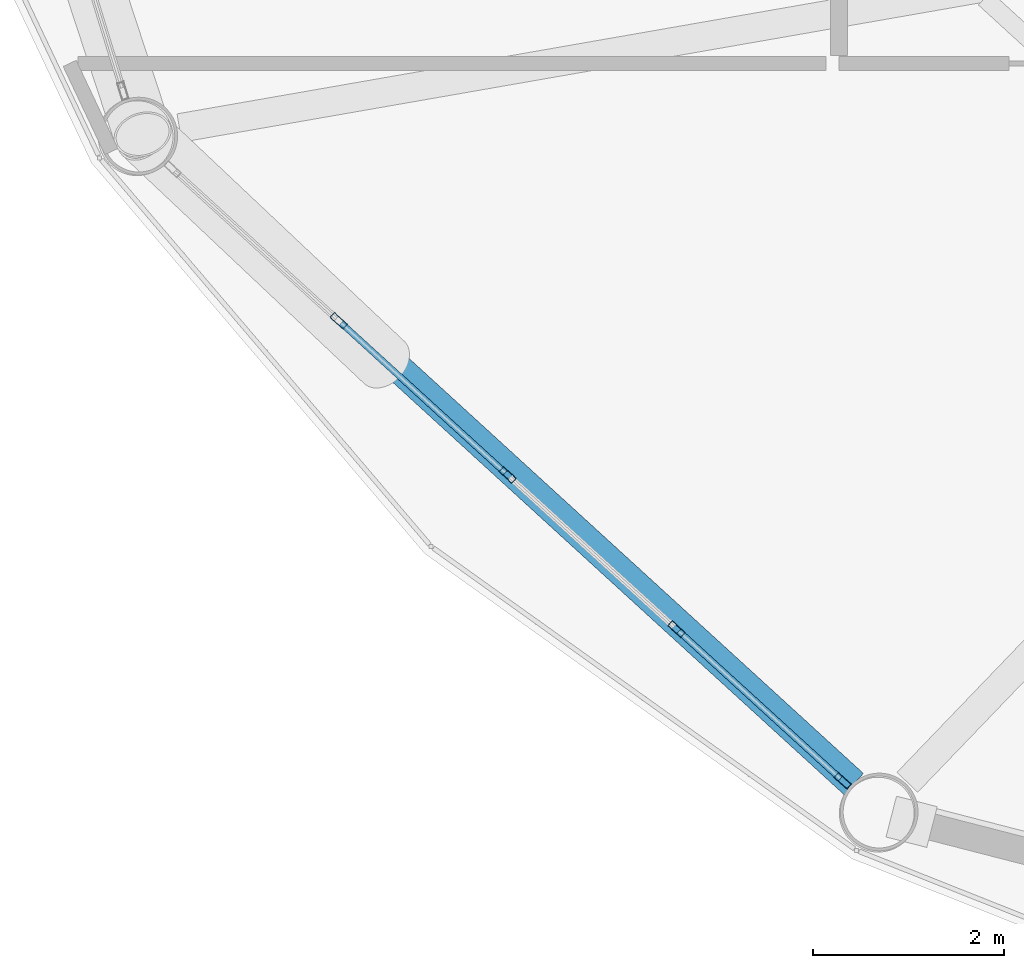
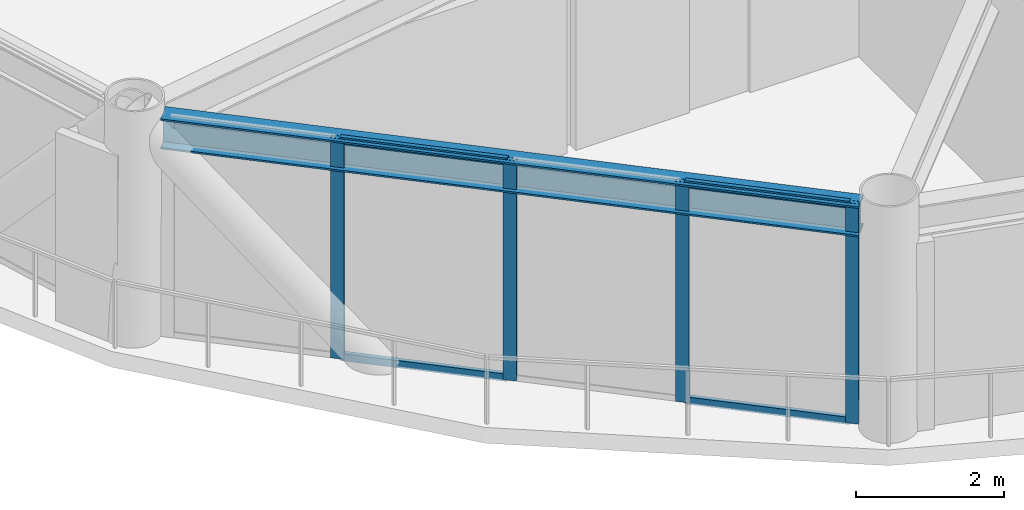
# One storey, part 2 of 24: 8 members, 1 beam, 1 element without a shape of its own.
"""IFC4 building model written with IfcOpenShell, lengths in metres."""

from ifc_helpers import new_model, si_unit, direction, frame, origin, origin_2d, place, context, subcontext, project, spatial, hollow_rectangle, i_section, extrude, material, layer, layer_set, material_profile, profile_set, type_object, element, aggregate, save


model = new_model("IFC4")

# Units and contexts
model_context = context("Model", 3, precision=1e-05, world=origin(), true_north=direction((0.0, 1.0)))
body_context = subcontext(model_context, "Body", "Model", "MODEL_VIEW")
ifc_project = project(units=[si_unit("LENGTHUNIT", "METRE"), si_unit("AREAUNIT", "SQUARE_METRE"), si_unit("VOLUMEUNIT", "CUBIC_METRE"), si_unit("PLANEANGLEUNIT", "RADIAN"), si_unit("MASSUNIT", "GRAM", prefix="KILO")], contexts=[model_context])

# Site, building, storey
site_placement = place(None, origin())
site = spatial("IfcSite", under=ifc_project, at=site_placement, CompositionType="ELEMENT")
building_placement = place(site_placement, origin())
building = spatial("IfcBuilding", under=site, at=building_placement, Name="Varnakorn Sky Granary", CompositionType="ELEMENT")
storey_placement = place(building_placement, frame((0.0, 0.0, 118.800048828125)))
storey = spatial("IfcBuildingStorey", under=building, at=storey_placement, Name="L29", CompositionType="ELEMENT", Elevation=118.800048828125)

# Beam
ifc_material_1 = material(Name="Steel S355JR", Category="steel")
ifc_material_profile_1 = material_profile(ifc_material_1, i_section(OverallWidth=0.300048828125, OverallDepth=0.5, WebThickness=0.014404296875, FlangeThickness=0.028076171875, at=origin_2d()), Name="HE 500 B")
ifc_profile_set_1 = profile_set([ifc_material_profile_1], Name="Steel S355JR")
beam_type = type_object("IfcBeamType", Name="BM-SPD-Z2", PredefinedType="SPANDREL", material=ifc_profile_set_1)
beam_placement = place(storey_placement, frame((-19.4970703125, -9.906982421875, 3.389892578125), z_axis=(0.738350124804, -0.67441759556, 0.0), x_axis=(0.67441759556, 0.738350124804, 0.0)))
element("IfcBeam", 1, at=beam_placement, inside=storey, type_object=beam_type, Name="Perimeter Spandrel Ring Beam RB08 L29", PredefinedType="SPANDREL", context=body_context, shape_type="SweptSolid", body=[
    extrude(i_section(OverallWidth=0.300048828125, OverallDepth=0.5, WebThickness=0.014404296875, FlangeThickness=0.028076171875, at=origin_2d()), origin(), (0.0, 0.0, 1.0), 9.684326171875),
])

# Curtain wall, members
ifc_material_2 = material(Name="Anodised Bronze Aluminium Alloy 6063-T6", Category="aluminium")
ifc_layer = layer(ifc_material_2, 0.179931640625, Name="Anodised Bronze Aluminium Alloy 6063-T6")
ifc_layer_set = layer_set([ifc_layer], Name="Anodised Bronze Aluminium Alloy 6063-T6")
curtain_wall_type = type_object("IfcCurtainWallType", Name="CW-FRM-2", PredefinedType="USERDEFINED", material=ifc_layer_set)
curtain_wall_placement = place(storey_placement, origin())
curtain_wall = element("IfcCurtainWall", 2, at=curtain_wall_placement, inside=storey, type_object=curtain_wall_type, Name="Unitised Curtain Wall CW4 CW-L29-B08", ObjectType="CURTAIN WALL", PredefinedType="USERDEFINED")
ifc_material_profile_2 = material_profile(ifc_material_2, hollow_rectangle(XDim=0.070068359375, YDim=0.18505859375, WallThickness=0.00390625, at=origin_2d()), Name="ALU MULL 70x185")
ifc_profile_set_2 = profile_set([ifc_material_profile_2], Name="Anodised Bronze Aluminium Alloy 6063-T6")
member_type_1 = type_object("IfcMemberType", Name="CW-FRM-2-MULL", PredefinedType="MULLION", material=ifc_profile_set_2)
member_1_placement = place(storey_placement, frame((-12.46142578125, -16.405517578125, 0.0), z_axis=(0.0, 0.0, 1.0), x_axis=(-0.674153081651, -0.738591648003, 0.0)))
member_1 = element("IfcMember", 3, at=member_1_placement, type_object=member_type_1, Name="CW4 mullion 1", PredefinedType="MULLION", context=body_context, shape_type="SweptSolid", body=[
    extrude(hollow_rectangle(XDim=0.070068359375, YDim=0.18505859375, WallThickness=0.00390625, at=origin_2d()), origin(), (0.0, 0.0, 1.0), 3.639892578125),
])
member_2_placement = place(storey_placement, frame((-14.20166015625, -14.8173828125, 0.0), z_axis=(0.0, 0.0, 1.0), x_axis=(-0.674153081651, -0.738591648003, 0.0)))
member_2 = element("IfcMember", 4, at=member_2_placement, type_object=member_type_1, Name="CW4 mullion 2", PredefinedType="MULLION", context=body_context, shape_type="SweptSolid", body=[
    extrude(hollow_rectangle(XDim=0.070068359375, YDim=0.18505859375, WallThickness=0.00390625, at=origin_2d()), origin(), (0.0, 0.0, 1.0), 3.639892578125),
])
member_3_placement = place(storey_placement, frame((-15.967529296875, -13.205322265625, 0.0), z_axis=(0.0, 0.0, 1.0), x_axis=(-0.674153081651, -0.738591648003, 0.0)))
member_3 = element("IfcMember", 5, at=member_3_placement, type_object=member_type_1, Name="CW4 mullion 3", PredefinedType="MULLION", context=body_context, shape_type="SweptSolid", body=[
    extrude(hollow_rectangle(XDim=0.070068359375, YDim=0.18505859375, WallThickness=0.00390625, at=origin_2d()), origin(), (0.0, 0.0, 1.0), 3.639892578125),
])
member_4_placement = place(storey_placement, frame((-17.733642578125, -11.593505859375, 0.0), z_axis=(0.0, 0.0, 1.0), x_axis=(-0.674153081651, -0.738591648003, 0.0)))
member_4 = element("IfcMember", 6, at=member_4_placement, type_object=member_type_1, Name="CW4 mullion 4", PredefinedType="MULLION", context=body_context, shape_type="SweptSolid", body=[
    extrude(hollow_rectangle(XDim=0.070068359375, YDim=0.18505859375, WallThickness=0.00390625, at=origin_2d()), origin(), (0.0, 0.0, 1.0), 3.639892578125),
])
ifc_material_profile_3 = material_profile(ifc_material_2, hollow_rectangle(XDim=0.06494140625, YDim=0.1201171875, WallThickness=0.00341796875, at=origin_2d()), Name="ALU TRAN 65x120")
ifc_profile_set_3 = profile_set([ifc_material_profile_3], Name="Anodised Bronze Aluminium Alloy 6063-T6")
member_type_2 = type_object("IfcMemberType", Name="CW-FRM-2-TRAN", PredefinedType="USERDEFINED", material=ifc_profile_set_3)
member_5_placement = place(storey_placement, frame((-12.4873046875, -16.382080078125, 0.032470703125), z_axis=(-0.738571031397, 0.674175668191, 0.0), x_axis=(-0.674175668191, -0.738571031397, 0.0)))
member_5 = element("IfcMember", 7, at=member_5_placement, type_object=member_type_2, Name="CW4 transom 1.1", ObjectType="TRANSOM", PredefinedType="USERDEFINED", context=body_context, shape_type="SweptSolid", body=[
    extrude(hollow_rectangle(XDim=0.06494140625, YDim=0.1201171875, WallThickness=0.00341796875, at=origin_2d()), origin(), (0.0, 0.0, 1.0), 2.2861328125),
])
member_6_placement = place(storey_placement, frame((-12.4873046875, -16.382080078125, 3.607421875), z_axis=(-0.738571031397, 0.674175668191, 0.0), x_axis=(-0.674175668191, -0.738571031397, 0.0)))
member_6 = element("IfcMember", 8, at=member_6_placement, type_object=member_type_2, Name="CW4 transom 1.2", ObjectType="TRANSOM", PredefinedType="USERDEFINED", context=body_context, shape_type="SweptSolid", body=[
    extrude(hollow_rectangle(XDim=0.06494140625, YDim=0.1201171875, WallThickness=0.00341796875, at=origin_2d()), origin(), (0.0, 0.0, 1.0), 2.2861328125),
])
member_7_placement = place(storey_placement, frame((-15.993408203125, -13.181640625, 0.032470703125), z_axis=(-0.738610727526, 0.674132177829, 0.0), x_axis=(-0.674132177829, -0.738610727526, 0.0)))
member_7 = element("IfcMember", 9, at=member_7_placement, type_object=member_type_2, Name="CW4 transom 3.1", ObjectType="TRANSOM", PredefinedType="USERDEFINED", context=body_context, shape_type="SweptSolid", body=[
    extrude(hollow_rectangle(XDim=0.06494140625, YDim=0.1201171875, WallThickness=0.00341796875, at=origin_2d()), origin(), (0.0, 0.0, 1.0), 2.321044921875),
])
member_8_placement = place(storey_placement, frame((-15.993408203125, -13.181640625, 3.607421875), z_axis=(-0.738610727526, 0.674132177829, 0.0), x_axis=(-0.674132177829, -0.738610727526, 0.0)))
member_8 = element("IfcMember", 10, at=member_8_placement, type_object=member_type_2, Name="CW4 transom 3.2", ObjectType="TRANSOM", PredefinedType="USERDEFINED", context=body_context, shape_type="SweptSolid", body=[
    extrude(hollow_rectangle(XDim=0.06494140625, YDim=0.1201171875, WallThickness=0.00341796875, at=origin_2d()), origin(), (0.0, 0.0, 1.0), 2.321044921875),
])
aggregate(curtain_wall, [member_1, member_2, member_3, member_4, member_5, member_6, member_7, member_8])

save(model, "model.ifc")
